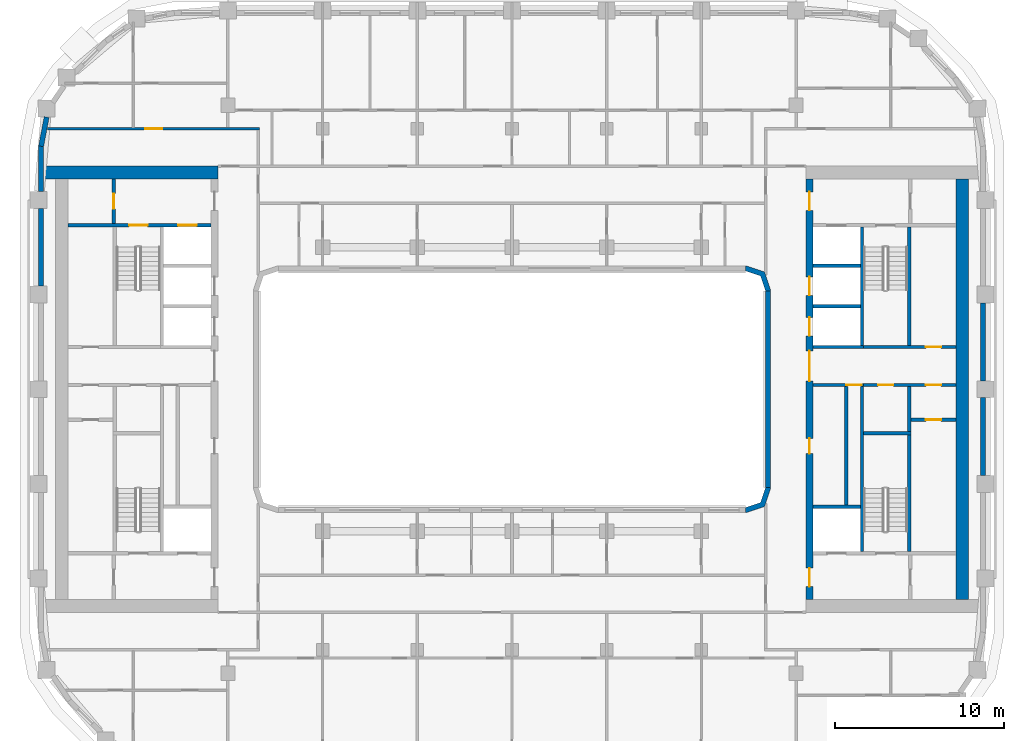
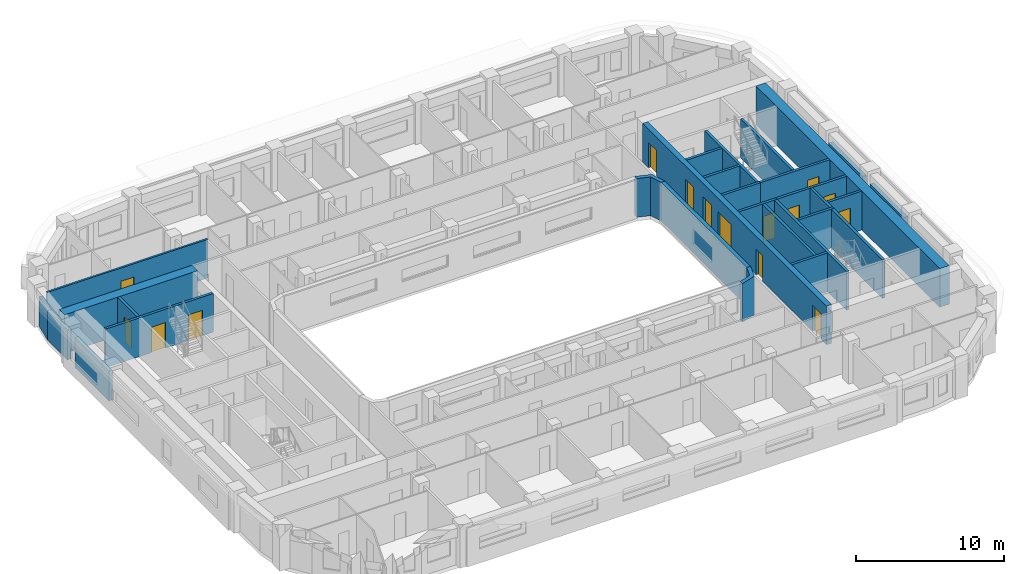
# One storey, part 6 of 22: 29 walls, 15 doors, 15 openings.
"""IFC4 building model written with IfcOpenShell, lengths in metres."""

from ifc_helpers import new_model, si_unit, direction, frame, frame_2d, origin, place, context, subcontext, project, spatial, polyline, rectangle, outline, extrude, material, layer, layer_set, type_object, element, fill, save


model = new_model("IFC4")

# Units and contexts
model_context = context("Model", 3, precision=1e-05, world=origin(), true_north=direction((0.0, 1.0)))
body_context = subcontext(model_context, "Body", "Model", "MODEL_VIEW")
ifc_project = project(units=[si_unit("LENGTHUNIT", "METRE"), si_unit("AREAUNIT", "SQUARE_METRE"), si_unit("VOLUMEUNIT", "CUBIC_METRE"), si_unit("PLANEANGLEUNIT", "RADIAN"), si_unit("MASSUNIT", "GRAM", prefix="KILO")], contexts=[model_context])

# Site, building, storey
site_placement = place(None, origin())
site = spatial("IfcSite", under=ifc_project, at=site_placement, CompositionType="ELEMENT")
building_placement = place(site_placement, origin())
building = spatial("IfcBuilding", under=site, at=building_placement, Name="Kiln Ring Residences", CompositionType="ELEMENT")
storey_placement = place(building_placement, frame((0.0, 0.0, 167.60009765625)))
storey = spatial("IfcBuildingStorey", under=building, at=storey_placement, Name="L43", CompositionType="ELEMENT", Elevation=167.60009765625)

# Wall, opening, door
ifc_material_1 = material(Name="Gypsum board on steel studs", Category="steel")
ifc_layer_1 = layer(ifc_material_1, 0.199951171875)
ifc_layer_set_1 = layer_set([ifc_layer_1], Name="CORE-PARTITION-200")
wall_type_1 = type_object("IfcWallType", Name="CORE-PARTITION-200", PredefinedType="PARTITIONING", material=ifc_layer_set_1)
wall_1_placement = place(storey_placement, frame((-23.550048828125, 9.800048828125, 0.0), z_axis=(0.0, 0.0, 1.0), x_axis=(0.0, 1.0, 0.0)))
wall_1 = element("IfcWall", 1, at=wall_1_placement, inside=storey, type_object=wall_type_1, Name="Core partition west L43 4", PredefinedType="PARTITIONING", context=body_context, shape_type="SweptSolid", body=[
    extrude(rectangle(XDim=2.64990234375, YDim=0.199951171875, at=frame_2d((1.324951171875, 0.0))), origin(), (0.0, 0.0, 1.0), 3.199951171875),
])
opening_1_placement = place(wall_1_placement, frame((0.875, 0.0, 0.0)))
opening_1 = element("IfcOpeningElement", 2, at=opening_1_placement, cuts=wall_1, Name="Opening L43-CW09", PredefinedType="OPENING", context=body_context, shape_type="SweptSolid", body=[
    extrude(rectangle(XDim=0.89990234375, YDim=2.10009765625, at=frame_2d((0.449951171875, 1.050048828125))), frame((0.0, 0.10986328125, 0.0), z_axis=(0.0, -1.0, 0.0), x_axis=(1.0, 0.0, 0.0)), (0.0, 0.0, 1.0), 0.219970703125),
])
ifc_material_2 = material(Name="Steel door leaf", Category="steel")
door_type_1 = type_object("IfcDoorType", Name="CORE-DOOR-ROOM", OperationType="SINGLE_SWING_LEFT", PredefinedType="DOOR", material=ifc_material_2)
door_1_placement = place(opening_1_placement, origin())
door_1 = element("IfcDoor", 3, at=door_1_placement, inside=storey, type_object=door_type_1, Name="Fire riser room L43-CW09", OperationType="SINGLE_SWING_LEFT", OverallHeight=2.10009765625, OverallWidth=0.89990234375, PredefinedType="DOOR", context=body_context, shape_type="SweptSolid", body=[
    extrude(rectangle(XDim=0.89990234375, YDim=2.10009765625, at=frame_2d((0.449951171875, 1.050048828125))), frame((0.0, 0.02490234375, 0.0), z_axis=(0.0, -1.0, 0.0), x_axis=(1.0, 0.0, 0.0)), (0.0, 0.0, 1.0), 0.050048828125),
])
fill(opening_1, door_1)

# Wall
wall_2_placement = place(storey_placement, frame((23.5, -2.5, 0.0), z_axis=(0.0, 0.0, 1.0), x_axis=(0.0, 1.0, 0.0)))
element("IfcWall", 4, at=wall_2_placement, inside=storey, type_object=wall_type_1, Name="Core partition east L43 1", PredefinedType="PARTITIONING", context=body_context, shape_type="SweptSolid", body=[
    extrude(rectangle(XDim=2.64990234375, YDim=0.199951171875, at=frame_2d((1.324951171875, 0.0))), origin(), (0.0, 0.0, 1.0), 3.199951171875),
])

# Wall, openings, doors
wall_3_placement = place(storey_placement, frame((20.800048828125, 0.25, 0.0), z_axis=(0.0, 0.0, 1.0), x_axis=(1.0, 0.0, 0.0)))
wall_3 = element("IfcWall", 5, at=wall_3_placement, inside=storey, type_object=wall_type_1, Name="Core partition east L43 2", PredefinedType="PARTITIONING", context=body_context, shape_type="SweptSolid", body=[
    extrude(rectangle(XDim=5.449951171875, YDim=0.199951171875, at=frame_2d((2.72509765625, 0.0))), origin(), (0.0, 0.0, 1.0), 3.199951171875),
])
opening_2_placement = place(wall_3_placement, frame((0.85009765625, 0.0, 0.0)))
opening_2 = element("IfcOpeningElement", 6, at=opening_2_placement, cuts=wall_3, Name="Opening L43-CE14", PredefinedType="OPENING", context=body_context, shape_type="SweptSolid", body=[
    extrude(rectangle(XDim=0.89990234375, YDim=2.10009765625, at=frame_2d((0.449951171875, 1.050048828125))), frame((0.0, 0.10986328125, 0.0), z_axis=(0.0, -1.0, 0.0), x_axis=(1.0, 0.0, 0.0)), (0.0, 0.0, 1.0), 0.219970703125),
])
opening_3_placement = place(wall_3_placement, frame((3.675048828125, 0.0, 0.0)))
opening_3 = element("IfcOpeningElement", 7, at=opening_3_placement, cuts=wall_3, Name="Opening L43-CE16", PredefinedType="OPENING", context=body_context, shape_type="SweptSolid", body=[
    extrude(rectangle(XDim=0.89990234375, YDim=2.10009765625, at=frame_2d((0.449951171875, 1.050048828125))), frame((0.0, 0.10986328125, 0.0), z_axis=(0.0, -1.0, 0.0), x_axis=(1.0, 0.0, 0.0)), (0.0, 0.0, 1.0), 0.219970703125),
])
door_2_placement = place(opening_2_placement, origin())
door_2 = element("IfcDoor", 8, at=door_2_placement, inside=storey, type_object=door_type_1, Name="Linen store L43-CE14", OperationType="SINGLE_SWING_LEFT", OverallHeight=2.10009765625, OverallWidth=0.89990234375, PredefinedType="DOOR", context=body_context, shape_type="SweptSolid", body=[
    extrude(rectangle(XDim=0.89990234375, YDim=2.10009765625, at=frame_2d((0.449951171875, 1.050048828125))), frame((0.0, 0.02490234375, 0.0), z_axis=(0.0, -1.0, 0.0), x_axis=(1.0, 0.0, 0.0)), (0.0, 0.0, 1.0), 0.050048828125),
])
fill(opening_2, door_2)
door_3_placement = place(opening_3_placement, origin())
door_3 = element("IfcDoor", 9, at=door_3_placement, inside=storey, type_object=door_type_1, Name="Pump and valve room L43-CE16", OperationType="SINGLE_SWING_LEFT", OverallHeight=2.10009765625, OverallWidth=0.89990234375, PredefinedType="DOOR", context=body_context, shape_type="SweptSolid", body=[
    extrude(rectangle(XDim=0.89990234375, YDim=2.10009765625, at=frame_2d((0.449951171875, 1.050048828125))), frame((0.0, 0.02490234375, 0.0), z_axis=(0.0, -1.0, 0.0), x_axis=(1.0, 0.0, 0.0)), (0.0, 0.0, 1.0), 0.050048828125),
])
fill(opening_3, door_3)

# Wall
wall_4_placement = place(storey_placement, frame((19.760009765625, -6.85009765625, 0.0), z_axis=(0.0, 0.0, 1.0), x_axis=(0.0, 1.0, 0.0)))
element("IfcWall", 10, at=wall_4_placement, inside=storey, type_object=wall_type_1, Name="Core partition east L43 3", PredefinedType="PARTITIONING", context=body_context, shape_type="SweptSolid", body=[
    extrude(rectangle(XDim=7.0, YDim=0.199951171875, at=frame_2d((3.5, 0.0))), origin(), (0.0, 0.0, 1.0), 3.199951171875),
])

# Wall, opening, door
wall_5_placement = place(storey_placement, frame((23.60009765625, -1.800048828125, 0.0), z_axis=(0.0, 0.0, 1.0), x_axis=(1.0, 0.0, 0.0)))
wall_5 = element("IfcWall", 11, at=wall_5_placement, inside=storey, type_object=wall_type_1, Name="Core partition east L43 6", PredefinedType="PARTITIONING", context=body_context, shape_type="SweptSolid", body=[
    extrude(rectangle(XDim=2.64990234375, YDim=0.199951171875, at=frame_2d((1.324951171875, 0.0))), origin(), (0.0, 0.0, 1.0), 3.199951171875),
])
opening_4_placement = place(wall_5_placement, frame((0.875, 0.0, 0.0)))
opening_4 = element("IfcOpeningElement", 12, at=opening_4_placement, cuts=wall_5, Name="Opening L43-CE15", PredefinedType="OPENING", context=body_context, shape_type="SweptSolid", body=[
    extrude(rectangle(XDim=0.89990234375, YDim=2.10009765625, at=frame_2d((0.449951171875, 1.050048828125))), frame((0.0, 0.10986328125, 0.0), z_axis=(0.0, -1.0, 0.0), x_axis=(1.0, 0.0, 0.0)), (0.0, 0.0, 1.0), 0.219970703125),
])
door_4_placement = place(opening_4_placement, origin())
door_4 = element("IfcDoor", 13, at=door_4_placement, inside=storey, type_object=door_type_1, Name="Pump and valve room L43-CE15", OperationType="SINGLE_SWING_LEFT", OverallHeight=2.10009765625, OverallWidth=0.89990234375, PredefinedType="DOOR", context=body_context, shape_type="SweptSolid", body=[
    extrude(rectangle(XDim=0.89990234375, YDim=2.10009765625, at=frame_2d((0.449951171875, 1.050048828125))), frame((0.0, 0.02490234375, 0.0), z_axis=(0.0, -1.0, 0.0), x_axis=(1.0, 0.0, 0.0)), (0.0, 0.0, 1.0), 0.050048828125),
])
fill(opening_4, door_4)

# Wall
ifc_material_3 = material(Name="Gypsum shaft wall system")
ifc_layer_2 = layer(ifc_material_3, 0.199951171875)
ifc_layer_set_2 = layer_set([ifc_layer_2], Name="CORE-SHAFT-WALL-200")
wall_type_2 = type_object("IfcWallType", Name="CORE-SHAFT-WALL-200", PredefinedType="PARTITIONING", material=ifc_layer_set_2)
wall_6_placement = place(storey_placement, frame((17.800048828125, -6.949951171875, 0.0), z_axis=(0.0, 0.0, 1.0), x_axis=(1.0, 0.0, 0.0)))
element("IfcWall", 14, at=wall_6_placement, inside=storey, type_object=wall_type_2, Name="Core partition east L43 7", PredefinedType="PARTITIONING", context=body_context, shape_type="SweptSolid", body=[
    extrude(rectangle(XDim=2.800048828125, YDim=0.199951171875, at=frame_2d((1.39990234375, 0.0))), origin(), (0.0, 0.0, 1.0), 3.199951171875),
])

# Wall, opening, door
wall_7_placement = place(storey_placement, frame((17.800048828125, 0.25, 0.0), z_axis=(0.0, 0.0, 1.0), x_axis=(1.0, 0.0, 0.0)))
wall_7 = element("IfcWall", 15, at=wall_7_placement, inside=storey, type_object=wall_type_2, Name="Core partition east L43 8", PredefinedType="PARTITIONING", context=body_context, shape_type="SweptSolid", body=[
    extrude(rectangle(XDim=3.0, YDim=0.199951171875, at=frame_2d((1.5, 0.0))), origin(), (0.0, 0.0, 1.0), 3.199951171875),
])
opening_5_placement = place(wall_7_placement, frame((1.97998046875, 0.0, 0.0)))
opening_5 = element("IfcOpeningElement", 16, at=opening_5_placement, cuts=wall_7, Name="Opening L43-CE03", PredefinedType="OPENING", context=body_context, shape_type="SweptSolid", body=[
    extrude(rectangle(XDim=0.89990234375, YDim=2.10009765625, at=frame_2d((0.449951171875, 1.050048828125))), frame((0.0, 0.10986328125, 0.0), z_axis=(0.0, -1.0, 0.0), x_axis=(1.0, 0.0, 0.0)), (0.0, 0.0, 1.0), 0.219970703125),
])
door_5_placement = place(opening_5_placement, origin())
door_5 = element("IfcDoor", 17, at=door_5_placement, inside=storey, type_object=door_type_1, Name="Waste room L43-CE03", OperationType="SINGLE_SWING_RIGHT", OverallHeight=2.10009765625, OverallWidth=0.89990234375, PredefinedType="DOOR", context=body_context, shape_type="SweptSolid", body=[
    extrude(rectangle(XDim=0.89990234375, YDim=2.10009765625, at=frame_2d((0.449951171875, 1.050048828125))), frame((0.0, 0.02490234375, 0.0), z_axis=(0.0, -1.0, 0.0), x_axis=(1.0, 0.0, 0.0)), (0.0, 0.0, 1.0), 0.050048828125),
])
fill(opening_5, door_5)

# Walls
wall_8_placement = place(storey_placement, frame((17.800048828125, 2.5, 0.0), z_axis=(0.0, 0.0, 1.0), x_axis=(1.0, 0.0, 0.0)))
element("IfcWall", 18, at=wall_8_placement, inside=storey, type_object=wall_type_2, Name="Core partition east L43 9", PredefinedType="PARTITIONING", context=body_context, shape_type="SweptSolid", body=[
    extrude(rectangle(XDim=3.0, YDim=0.199951171875, at=frame_2d((1.5, 0.0))), origin(), (0.0, 0.0, 1.0), 3.199951171875),
])
for number, where, z_axis, x_axis, name in (
    (19, (17.800048828125, 4.89990234375, 0.0), (0.0, 0.0, 1.0), (1.0, 0.0, 0.0), "Core partition east L43 10"),
    (20, (17.800048828125, 7.300048828125, 0.0), (0.0, 0.0, 1.0), (1.0, 0.0, 0.0), "Core partition east L43 11"),
):
    element("IfcWall", number, at=place(storey_placement, frame(where, z_axis=z_axis, x_axis=x_axis)), inside=storey, type_object=wall_type_2, Name=name, PredefinedType="PARTITIONING", context=body_context, shape_type="SweptSolid", body=[
        extrude(rectangle(XDim=2.800048828125, YDim=0.199951171875, at=frame_2d((1.39990234375, 0.0))), origin(), (0.0, 0.0, 1.0), 3.199951171875),
    ])

# Wall, openings, doors
ifc_material_4 = material(Name="Concrete C40/50", Category="concrete")
ifc_layer_3 = layer(ifc_material_4, 0.199951171875)
ifc_layer_set_3 = layer_set([ifc_layer_3], Name="CORE-WALL-RC200")
wall_type_3 = type_object("IfcWallType", Name="CORE-WALL-RC200", PredefinedType="SHEAR", material=ifc_layer_set_3)
wall_9_placement = place(storey_placement, frame((-17.800048828125, 9.699951171875, 0.0), z_axis=(0.0, 0.0, 1.0), x_axis=(-1.0, 0.0, 0.0)))
wall_9 = element("IfcWall", 21, at=wall_9_placement, inside=storey, type_object=wall_type_3, Name="Core wall west L43 9", PredefinedType="SHEAR", context=body_context, shape_type="SweptSolid", body=[
    extrude(rectangle(XDim=8.449951171875, YDim=0.199951171875, at=frame_2d((4.22509765625, 0.0))), origin(), (0.0, 0.0, 1.0), 3.199951171875),
])
opening_6_placement = place(wall_9_placement, frame((0.85009765625, 0.0, 0.0)))
opening_6 = element("IfcOpeningElement", 22, at=opening_6_placement, cuts=wall_9, Name="Opening L43-CW06", PredefinedType="OPENING", context=body_context, shape_type="SweptSolid", body=[
    extrude(rectangle(XDim=1.10009765625, YDim=2.10009765625, at=frame_2d((0.550048828125, 1.050048828125))), frame((0.0, 0.10986328125, 0.0), z_axis=(0.0, -1.0, 0.0), x_axis=(1.0, 0.0, 0.0)), (0.0, 0.0, 1.0), 0.219970703125),
])
opening_7_placement = place(wall_9_placement, frame((3.75, 0.0, 0.0)))
opening_7 = element("IfcOpeningElement", 23, at=opening_7_placement, cuts=wall_9, Name="Opening L43-CW11", PredefinedType="OPENING", context=body_context, shape_type="SweptSolid", body=[
    extrude(rectangle(XDim=1.10009765625, YDim=2.10009765625, at=frame_2d((0.550048828125, 1.050048828125))), frame((0.0, 0.10986328125, 0.0), z_axis=(0.0, -1.0, 0.0), x_axis=(1.0, 0.0, 0.0)), (0.0, 0.0, 1.0), 0.219970703125),
])
ifc_material_5 = material(Name="Steel door leaf", Category="steel")
door_type_2 = type_object("IfcDoorType", Name="CORE-DOOR-LD", OperationType="DOUBLE_DOOR_SLIDING", PredefinedType="DOOR", material=ifc_material_5)
door_6_placement = place(opening_6_placement, origin())
door_6 = element("IfcDoor", 24, at=door_6_placement, inside=storey, type_object=door_type_2, Name="LD W-FF L43-CW06", OperationType="DOUBLE_DOOR_SLIDING", OverallHeight=2.10009765625, OverallWidth=1.10009765625, PredefinedType="DOOR", context=body_context, shape_type="SweptSolid", body=[
    extrude(rectangle(XDim=1.10009765625, YDim=2.10009765625, at=frame_2d((0.550048828125, 1.050048828125))), frame((0.0, 0.02490234375, 0.0), z_axis=(0.0, -1.0, 0.0), x_axis=(1.0, 0.0, 0.0)), (0.0, 0.0, 1.0), 0.050048828125),
])
fill(opening_6, door_6)
ifc_material_6 = material(Name="Steel door leaf", Category="steel")
door_type_3 = type_object("IfcDoorType", Name="CORE-DOOR-STAIR", OperationType="SINGLE_SWING_LEFT", PredefinedType="DOOR", material=ifc_material_6)
door_7_placement = place(opening_7_placement, origin())
door_7 = element("IfcDoor", 25, at=door_7_placement, inside=storey, type_object=door_type_3, Name="Stair W-STN L43-CW11", OperationType="SINGLE_SWING_LEFT", OverallHeight=2.10009765625, OverallWidth=1.10009765625, PredefinedType="DOOR", context=body_context, shape_type="SweptSolid", body=[
    extrude(rectangle(XDim=1.10009765625, YDim=2.10009765625, at=frame_2d((0.550048828125, 1.050048828125))), frame((0.0, 0.02490234375, 0.0), z_axis=(0.0, -1.0, 0.0), x_axis=(1.0, 0.0, 0.0)), (0.0, 0.0, 1.0), 0.050048828125),
])
fill(opening_7, door_7)

# Walls
wall_10_placement = place(storey_placement, frame((20.699951171875, 2.60009765625, 0.0), z_axis=(0.0, 0.0, 1.0), x_axis=(0.0, 1.0, 0.0)))
element("IfcWall", 26, at=wall_10_placement, inside=storey, type_object=wall_type_3, Name="Core wall east L43 1", PredefinedType="SHEAR", context=body_context, shape_type="SweptSolid", body=[
    extrude(rectangle(XDim=7.0, YDim=0.199951171875, at=frame_2d((3.5, 0.0))), origin(), (0.0, 0.0, 1.0), 3.199951171875),
])
wall_11_placement = place(storey_placement, frame((20.699951171875, -9.60009765625, 0.0), z_axis=(0.0, 0.0, 1.0), x_axis=(0.0, 1.0, 0.0)))
element("IfcWall", 27, at=wall_11_placement, inside=storey, type_object=wall_type_3, Name="Core wall east L43 2", PredefinedType="SHEAR", context=body_context, shape_type="SweptSolid", body=[
    extrude(rectangle(XDim=9.75, YDim=0.199951171875, at=frame_2d((4.875, 0.0))), origin(), (0.0, 0.0, 1.0), 3.199951171875),
])

# Wall, opening, door
wall_12_placement = place(storey_placement, frame((20.800048828125, 2.5, 0.0), z_axis=(0.0, 0.0, 1.0), x_axis=(1.0, 0.0, 0.0)))
wall_12 = element("IfcWall", 28, at=wall_12_placement, inside=storey, type_object=wall_type_3, Name="Core wall east L43 3", PredefinedType="SHEAR", context=body_context, shape_type="SweptSolid", body=[
    extrude(rectangle(XDim=5.449951171875, YDim=0.199951171875, at=frame_2d((2.72509765625, 0.0))), origin(), (0.0, 0.0, 1.0), 3.199951171875),
])
opening_8_placement = place(wall_12_placement, frame((3.675048828125, 0.0, 0.0)))
opening_8 = element("IfcOpeningElement", 29, at=opening_8_placement, cuts=wall_12, Name="Opening L43-CE17", PredefinedType="OPENING", context=body_context, shape_type="SweptSolid", body=[
    extrude(rectangle(XDim=0.89990234375, YDim=2.10009765625, at=frame_2d((0.449951171875, 1.050048828125))), frame((0.0, 0.10986328125, 0.0), z_axis=(0.0, -1.0, 0.0), x_axis=(1.0, 0.0, 0.0)), (0.0, 0.0, 1.0), 0.219970703125),
])
door_8_placement = place(opening_8_placement, origin())
door_8 = element("IfcDoor", 30, at=door_8_placement, inside=storey, type_object=door_type_1, Name="Electrical plant room L43-CE17", OperationType="SINGLE_SWING_LEFT", OverallHeight=2.10009765625, OverallWidth=0.89990234375, PredefinedType="DOOR", context=body_context, shape_type="SweptSolid", body=[
    extrude(rectangle(XDim=0.89990234375, YDim=2.10009765625, at=frame_2d((0.449951171875, 1.050048828125))), frame((0.0, 0.02490234375, 0.0), z_axis=(0.0, -1.0, 0.0), x_axis=(1.0, 0.0, 0.0)), (0.0, 0.0, 1.0), 0.050048828125),
])
fill(opening_8, door_8)

# Walls
wall_13_placement = place(storey_placement, frame((23.5, 2.60009765625, 0.0), z_axis=(0.0, 0.0, 1.0), x_axis=(0.0, 1.0, 0.0)))
element("IfcWall", 31, at=wall_13_placement, inside=storey, type_object=wall_type_3, Name="Core wall east L43 10", PredefinedType="SHEAR", context=body_context, shape_type="SweptSolid", body=[
    extrude(rectangle(XDim=7.0, YDim=0.199951171875, at=frame_2d((3.5, 0.0))), origin(), (0.0, 0.0, 1.0), 3.199951171875),
])
wall_14_placement = place(storey_placement, frame((23.5, -9.60009765625, 0.0), z_axis=(0.0, 0.0, 1.0), x_axis=(0.0, 1.0, 0.0)))
element("IfcWall", 32, at=wall_14_placement, inside=storey, type_object=wall_type_3, Name="Core wall east L43 11", PredefinedType="SHEAR", context=body_context, shape_type="SweptSolid", body=[
    extrude(rectangle(XDim=6.900146484375, YDim=0.199951171875, at=frame_2d((3.4501953125, 0.0))), origin(), (0.0, 0.0, 1.0), 3.199951171875),
])
wall_15_placement = place(storey_placement, frame((20.800048828125, -2.60009765625, 0.0), z_axis=(0.0, 0.0, 1.0), x_axis=(1.0, 0.0, 0.0)))
element("IfcWall", 33, at=wall_15_placement, inside=storey, type_object=wall_type_3, Name="Core wall east L43 12", PredefinedType="SHEAR", context=body_context, shape_type="SweptSolid", body=[
    extrude(rectangle(XDim=2.800048828125, YDim=0.199951171875, at=frame_2d((1.39990234375, 0.0))), origin(), (0.0, 0.0, 1.0), 3.199951171875),
])

# Wall, openings, doors
ifc_material_7 = material(Name="Concrete C60/75", Category="concrete")
ifc_layer_4 = layer(ifc_material_7, 0.39990234375)
ifc_layer_set_4 = layer_set([ifc_layer_4], Name="CORE-WALL-RC400")
wall_type_4 = type_object("IfcWallType", Name="CORE-WALL-RC400", PredefinedType="SHEAR", material=ifc_layer_set_4)
wall_16_placement = place(storey_placement, frame((17.60009765625, -12.449951171875, 0.0), z_axis=(0.0, 0.0, 1.0), x_axis=(0.0, 1.0, 0.0)))
wall_16 = element("IfcWall", 34, at=wall_16_placement, inside=storey, type_object=wall_type_4, Name="Core wall east L43 6", PredefinedType="SHEAR", context=body_context, shape_type="SweptSolid", body=[
    extrude(rectangle(XDim=24.89990234375, YDim=0.39990234375, at=frame_2d((12.449951171875, 0.0))), origin(), (0.0, 0.0, 1.0), 3.199951171875),
])
opening_9_placement = place(wall_16_placement, frame((8.64990234375, 0.0, 0.0)))
opening_9 = element("IfcOpeningElement", 35, at=opening_9_placement, cuts=wall_16, Name="Opening L43-CE02", PredefinedType="OPENING", context=body_context, shape_type="SweptSolid", body=[
    extrude(rectangle(XDim=0.89990234375, YDim=2.10009765625, at=frame_2d((0.449951171875, 1.050048828125))), frame((0.0, 0.2099609375, 0.0), z_axis=(0.0, -1.0, 0.0), x_axis=(1.0, 0.0, 0.0)), (0.0, 0.0, 1.0), 0.419921875),
])
opening_10_placement = place(wall_16_placement, frame((15.60009765625, 0.0, 0.0)))
opening_10 = element("IfcOpeningElement", 36, at=opening_10_placement, cuts=wall_16, Name="Opening L43-CE04", PredefinedType="OPENING", context=body_context, shape_type="SweptSolid", body=[
    extrude(rectangle(XDim=1.10009765625, YDim=2.10009765625, at=frame_2d((0.550048828125, 1.050048828125))), frame((0.0, 0.2099609375, 0.0), z_axis=(0.0, -1.0, 0.0), x_axis=(1.0, 0.0, 0.0)), (0.0, 0.0, 1.0), 0.419921875),
])
opening_11_placement = place(wall_16_placement, frame((18.0, 0.0, 0.0)))
opening_11 = element("IfcOpeningElement", 37, at=opening_11_placement, cuts=wall_16, Name="Opening L43-CE05", PredefinedType="OPENING", context=body_context, shape_type="SweptSolid", body=[
    extrude(rectangle(XDim=1.10009765625, YDim=2.10009765625, at=frame_2d((0.550048828125, 1.050048828125))), frame((0.0, 0.2099609375, 0.0), z_axis=(0.0, -1.0, 0.0), x_axis=(1.0, 0.0, 0.0)), (0.0, 0.0, 1.0), 0.419921875),
])
opening_12_placement = place(wall_16_placement, frame((23.02490234375, 0.0, 0.0)))
opening_12 = element("IfcOpeningElement", 38, at=opening_12_placement, cuts=wall_16, Name="Opening L43-CE07", PredefinedType="OPENING", context=body_context, shape_type="SweptSolid", body=[
    extrude(rectangle(XDim=1.10009765625, YDim=2.10009765625, at=frame_2d((0.550048828125, 1.050048828125))), frame((0.0, 0.2099609375, 0.0), z_axis=(0.0, -1.0, 0.0), x_axis=(1.0, 0.0, 0.0)), (0.0, 0.0, 1.0), 0.419921875),
])
opening_13_placement = place(wall_16_placement, frame((0.77490234375, 0.0, 0.0)))
opening_13 = element("IfcOpeningElement", 39, at=opening_13_placement, cuts=wall_16, Name="Opening L43-CE08", PredefinedType="OPENING", context=body_context, shape_type="SweptSolid", body=[
    extrude(rectangle(XDim=1.10009765625, YDim=2.10009765625, at=frame_2d((0.550048828125, 1.050048828125))), frame((0.0, 0.2099609375, 0.0), z_axis=(0.0, -1.0, 0.0), x_axis=(1.0, 0.0, 0.0)), (0.0, 0.0, 1.0), 0.419921875),
])
opening_14_placement = place(wall_16_placement, frame((12.925048828125, 0.0, 0.0)))
opening_14 = element("IfcOpeningElement", 40, at=opening_14_placement, cuts=wall_16, Name="Opening L43-CE13", PredefinedType="OPENING", context=body_context, shape_type="SweptSolid", body=[
    extrude(rectangle(XDim=1.800048828125, YDim=2.10009765625, at=frame_2d((0.89990234375, 1.050048828125))), frame((0.0, 0.2099609375, 0.0), z_axis=(0.0, -1.0, 0.0), x_axis=(1.0, 0.0, 0.0)), (0.0, 0.0, 1.0), 0.419921875),
])
door_9_placement = place(opening_10_placement, origin())
door_9 = element("IfcDoor", 41, at=door_9_placement, inside=storey, type_object=door_type_2, Name="LD E-M1 L43-CE04", OperationType="DOUBLE_DOOR_SLIDING", OverallHeight=2.10009765625, OverallWidth=1.10009765625, PredefinedType="DOOR", context=body_context, shape_type="SweptSolid", body=[
    extrude(rectangle(XDim=1.10009765625, YDim=2.10009765625, at=frame_2d((0.550048828125, 1.050048828125))), frame((0.0, 0.02490234375, 0.0), z_axis=(0.0, -1.0, 0.0), x_axis=(1.0, 0.0, 0.0)), (0.0, 0.0, 1.0), 0.050048828125),
])
fill(opening_10, door_9)
door_10_placement = place(opening_11_placement, origin())
door_10 = element("IfcDoor", 42, at=door_10_placement, inside=storey, type_object=door_type_2, Name="LD E-M2 L43-CE05", OperationType="DOUBLE_DOOR_SLIDING", OverallHeight=2.10009765625, OverallWidth=1.10009765625, PredefinedType="DOOR", context=body_context, shape_type="SweptSolid", body=[
    extrude(rectangle(XDim=1.10009765625, YDim=2.10009765625, at=frame_2d((0.550048828125, 1.050048828125))), frame((0.0, 0.02490234375, 0.0), z_axis=(0.0, -1.0, 0.0), x_axis=(1.0, 0.0, 0.0)), (0.0, 0.0, 1.0), 0.050048828125),
])
fill(opening_11, door_10)
ifc_material_8 = material(Name="Steel door leaf", Category="steel")
door_type_4 = type_object("IfcDoorType", Name="CORE-DOOR-LOBBY", OperationType="SINGLE_SWING_LEFT", PredefinedType="DOOR", material=ifc_material_8)
door_11_placement = place(opening_12_placement, origin())
door_11 = element("IfcDoor", 43, at=door_11_placement, inside=storey, type_object=door_type_4, Name="FFL L43-CE07", OperationType="SINGLE_SWING_LEFT", OverallHeight=2.10009765625, OverallWidth=1.10009765625, PredefinedType="DOOR", context=body_context, shape_type="SweptSolid", body=[
    extrude(rectangle(XDim=1.10009765625, YDim=2.10009765625, at=frame_2d((0.550048828125, 1.050048828125))), frame((0.0, 0.02490234375, 0.0), z_axis=(0.0, -1.0, 0.0), x_axis=(1.0, 0.0, 0.0)), (0.0, 0.0, 1.0), 0.050048828125),
])
fill(opening_12, door_11)
door_12_placement = place(opening_13_placement, origin())
door_12 = element("IfcDoor", 44, at=door_12_placement, inside=storey, type_object=door_type_4, Name="SVL L43-CE08", OperationType="SINGLE_SWING_RIGHT", OverallHeight=2.10009765625, OverallWidth=1.10009765625, PredefinedType="DOOR", context=body_context, shape_type="SweptSolid", body=[
    extrude(rectangle(XDim=1.10009765625, YDim=2.10009765625, at=frame_2d((0.550048828125, 1.050048828125))), frame((0.0, 0.02490234375, 0.0), z_axis=(0.0, -1.0, 0.0), x_axis=(1.0, 0.0, 0.0)), (0.0, 0.0, 1.0), 0.050048828125),
])
fill(opening_13, door_12)
ifc_material_9 = material(Name="Steel door leaf", Category="steel")
door_type_5 = type_object("IfcDoorType", Name="CORE-DOOR-PASS", OperationType="DOUBLE_DOOR_SINGLE_SWING", PredefinedType="DOOR", material=ifc_material_9)
door_13_placement = place(opening_14_placement, origin())
door_13 = element("IfcDoor", 45, at=door_13_placement, inside=storey, type_object=door_type_5, Name="Core passage L43-CE13", OperationType="DOUBLE_DOOR_SINGLE_SWING", OverallHeight=2.10009765625, OverallWidth=1.800048828125, PredefinedType="DOOR", context=body_context, shape_type="SweptSolid", body=[
    extrude(rectangle(XDim=1.800048828125, YDim=2.10009765625, at=frame_2d((0.89990234375, 1.050048828125))), frame((0.0, 0.02490234375, 0.0), z_axis=(0.0, -1.0, 0.0), x_axis=(1.0, 0.0, 0.0)), (0.0, 0.0, 1.0), 0.050048828125),
])
fill(opening_14, door_13)
door_14_placement = place(opening_9_placement, origin())
door_14 = element("IfcDoor", 46, at=door_14_placement, inside=storey, type_object=door_type_1, Name="Janitor's store L43-CE02", OperationType="SINGLE_SWING_LEFT", OverallHeight=2.10009765625, OverallWidth=0.89990234375, PredefinedType="DOOR", context=body_context, shape_type="SweptSolid", body=[
    extrude(rectangle(XDim=0.89990234375, YDim=2.10009765625, at=frame_2d((0.449951171875, 1.050048828125))), frame((0.0, 0.02490234375, 0.0), z_axis=(0.0, -1.0, 0.0), x_axis=(1.0, 0.0, 0.0)), (0.0, 0.0, 1.0), 0.050048828125),
])
fill(opening_9, door_14)

# Walls
ifc_material_10 = material(Name="Concrete C60/75", Category="concrete")
ifc_layer_5 = layer(ifc_material_10, 0.75)
ifc_layer_set_5 = layer_set([ifc_layer_5], Name="CORE-WALL-RC750")
wall_type_5 = type_object("IfcWallType", Name="CORE-WALL-RC750", PredefinedType="SHEAR", material=ifc_layer_set_5)
wall_17_placement = place(storey_placement, frame((-17.39990234375, 12.824951171875, 0.0), z_axis=(0.0, 0.0, 1.0), x_axis=(-1.0, 0.0, 0.0)))
element("IfcWall", 47, at=wall_17_placement, inside=storey, type_object=wall_type_5, Name="Core wall west L43 4", PredefinedType="SHEAR", context=body_context, shape_type="SweptSolid", body=[
    extrude(rectangle(XDim=10.400146484375, YDim=0.75, at=frame_2d((5.2001953125, 0.0))), origin(), (0.0, 0.0, 1.0), 3.199951171875),
])
wall_18_placement = place(storey_placement, frame((26.625, -12.449951171875, 0.0), z_axis=(0.0, 0.0, 1.0), x_axis=(0.0, 1.0, 0.0)))
element("IfcWall", 48, at=wall_18_placement, inside=storey, type_object=wall_type_5, Name="Core wall east L43 7", PredefinedType="SHEAR", context=body_context, shape_type="SweptSolid", body=[
    extrude(rectangle(XDim=24.89990234375, YDim=0.75, at=frame_2d((12.449951171875, 0.0))), origin(), (0.0, 0.0, 1.0), 3.199951171875),
])
ifc_material_11 = material(Name="Brick masonry, dark clay brick", Category="masonry")
ifc_layer_6 = layer(ifc_material_11, 0.300048828125)
ifc_layer_set_6 = layer_set([ifc_layer_6], Name="EW-300 BRICK WALL")
wall_type_6 = type_object("IfcWallType", Name="EW-300 BRICK WALL", PredefinedType="SOLIDWALL", material=ifc_layer_set_6)
for number, where, z_axis, x_axis, name in (
    (49, (27.85009765625, -5.10009765625, 0.0), (0.0, 0.0, 1.0), (0.0, 1.0, 0.0), "Facade wall L43 19"),
    (50, (27.85009765625, 0.5, 0.0), (0.0, 0.0, 1.0), (0.0, 1.0, 0.0), "Facade wall L43 20"),
):
    element("IfcWall", number, at=place(storey_placement, frame(where, z_axis=z_axis, x_axis=x_axis)), inside=storey, type_object=wall_type_6, Name=name, PredefinedType="SOLIDWALL", context=body_context, shape_type="SweptSolid", body=[
        extrude(rectangle(XDim=4.60009765625, YDim=0.300048828125, at=frame_2d((2.300048828125, 0.0))), origin(), (0.0, 0.0, 1.0), 2.449951171875),
    ])
wall_19_placement = place(storey_placement, frame((-27.523681640625, 16.096923828125, 0.0), z_axis=(0.0, 0.0, 1.0), x_axis=(-0.187259034321, -0.982310569049, 0.0)))
element("IfcWall", 51, at=wall_19_placement, inside=storey, type_object=wall_type_6, Name="Facade wall L43 40", PredefinedType="SOLIDWALL", context=body_context, shape_type="SweptSolid", body=[
    extrude(rectangle(XDim=1.756103515625, YDim=0.300048828125, at=frame_2d((0.8779296875, 0.0))), origin(), (0.0, 0.0, 1.0), 2.449951171875),
])
wall_20_placement = place(storey_placement, frame((-27.85009765625, 14.39990234375, 0.0), z_axis=(0.0, 0.0, 1.0), x_axis=(0.0, -1.0, 0.0)))
element("IfcWall", 52, at=wall_20_placement, inside=storey, type_object=wall_type_6, Name="Facade wall L43 41", PredefinedType="SOLIDWALL", context=body_context, shape_type="SweptSolid", body=[
    extrude(rectangle(XDim=2.699951171875, YDim=0.300048828125, at=frame_2d((1.35009765625, 0.0))), origin(), (0.0, 0.0, 1.0), 2.449951171875),
])
wall_21_placement = place(storey_placement, frame((-27.85009765625, 10.699951171875, 0.0), z_axis=(0.0, 0.0, 1.0), x_axis=(0.0, -1.0, 0.0)))
element("IfcWall", 53, at=wall_21_placement, inside=storey, type_object=wall_type_6, Name="Facade wall L43 42", PredefinedType="SOLIDWALL", context=body_context, shape_type="SweptSolid", body=[
    extrude(rectangle(XDim=4.599853515625, YDim=0.300048828125, at=frame_2d((2.2998046875, 0.0))), origin(), (0.0, 0.0, 1.0), 2.449951171875),
])
wall_22_placement = place(storey_placement, frame((15.14990234375, 5.800048828125, 0.0), z_axis=(0.0, 0.0, 1.0), x_axis=(0.0, -1.0, 0.0)))
element("IfcWall", 54, at=wall_22_placement, inside=storey, type_object=wall_type_6, Name="Facade wall L43 51", PredefinedType="SOLIDWALL", context=body_context, shape_type="SweptSolid", body=[
    extrude(rectangle(XDim=11.60009765625, YDim=0.300048828125, at=frame_2d((5.800048828125, 0.0))), origin(), (0.0, 0.0, 1.0), 3.199951171875),
])
placement = place(storey_placement, origin())
element("IfcWall", 55, at=placement, inside=storey, type_object=wall_type_6, Name="Corner wall L43 2", PredefinedType="SOLIDWALL", context=body_context, shape_type="SweptSolid", body=[
    extrude(outline(polyline([(14.937255859375, 6.937255859375), (13.8486328125, 7.300048828125), (13.800048828125, 7.300048828125), (13.800048828125, 7.0), (14.699951171875, 6.699951171875), (15.0, 5.800048828125), (15.300048828125, 5.800048828125), (15.300048828125, 5.8486328125), (14.937255859375, 6.937255859375)])), origin(), (0.0, 0.0, 1.0), 3.199951171875),
])
element("IfcWall", 56, at=placement, inside=storey, type_object=wall_type_6, Name="Corner wall L43 3", PredefinedType="SOLIDWALL", context=body_context, shape_type="SweptSolid", body=[
    extrude(outline(polyline([(14.937255859375, -6.937255859375), (15.300048828125, -5.8486328125), (15.300048828125, -5.800048828125), (15.0, -5.800048828125), (14.699951171875, -6.699951171875), (13.800048828125, -7.0), (13.800048828125, -7.300048828125), (13.8486328125, -7.300048828125), (14.937255859375, -6.937255859375)])), origin(), (0.0, 0.0, 1.0), 3.199951171875),
])

# Wall, opening, door
ifc_material_12 = material(Name="Brick masonry partition", Category="masonry")
ifc_layer_7 = layer(ifc_material_12, 0.14990234375)
ifc_layer_set_7 = layer_set([ifc_layer_7], Name="PARTITION-150-ei60")
wall_type_7 = type_object("IfcWallType", Name="PARTITION-150-ei60", PredefinedType="PARTITIONING", material=ifc_layer_set_7)
wall_25_placement = place(storey_placement, frame((-27.48388671875, 15.39990234375, 0.0), z_axis=(0.0, 0.0, 1.0), x_axis=(1.0, 0.0, 0.0)))
wall_25 = element("IfcWall", 57, at=wall_25_placement, inside=storey, type_object=wall_type_7, Name="Partition 009", PredefinedType="PARTITIONING", context=body_context, shape_type="SweptSolid", body=[
    extrude(rectangle(XDim=12.558837890625, YDim=0.14990234375, at=frame_2d((6.279296875, 0.0))), origin(), (0.0, 0.0, 1.0), 3.199951171875),
])
opening_15_placement = place(wall_25_placement, frame((5.78369140625, 0.0, 0.0)))
opening_15 = element("IfcOpeningElement", 58, at=opening_15_placement, cuts=wall_25, Name="Opening L43-D040", PredefinedType="OPENING", context=body_context, shape_type="SweptSolid", body=[
    extrude(rectangle(XDim=1.0, YDim=2.10009765625, at=frame_2d((0.5, 1.050048828125))), frame((0.0, 0.0849609375, 0.0), z_axis=(0.0, -1.0, 0.0), x_axis=(1.0, 0.0, 0.0)), (0.0, 0.0, 1.0), 0.169921875),
])
ifc_material_13 = material(Name="Steel faced fire door leaf", Category="steel")
door_type_6 = type_object("IfcDoorType", Name="FLAT-DOOR-1000-FR", OperationType="SINGLE_SWING_LEFT", PredefinedType="DOOR", material=ifc_material_13)
door_15_placement = place(opening_15_placement, origin())
door_15 = element("IfcDoor", 59, at=door_15_placement, inside=storey, type_object=door_type_6, Name="Door L43-D040", OperationType="SINGLE_SWING_RIGHT", OverallHeight=2.10009765625, OverallWidth=1.0, PredefinedType="DOOR", context=body_context, shape_type="SweptSolid", body=[
    extrude(rectangle(XDim=1.0, YDim=2.10009765625, at=frame_2d((0.5, 1.050048828125))), frame((0.0, 0.02490234375, 0.0), z_axis=(0.0, -1.0, 0.0), x_axis=(1.0, 0.0, 0.0)), (0.0, 0.0, 1.0), 0.050048828125),
])
fill(opening_15, door_15)

save(model, "model.ifc")
